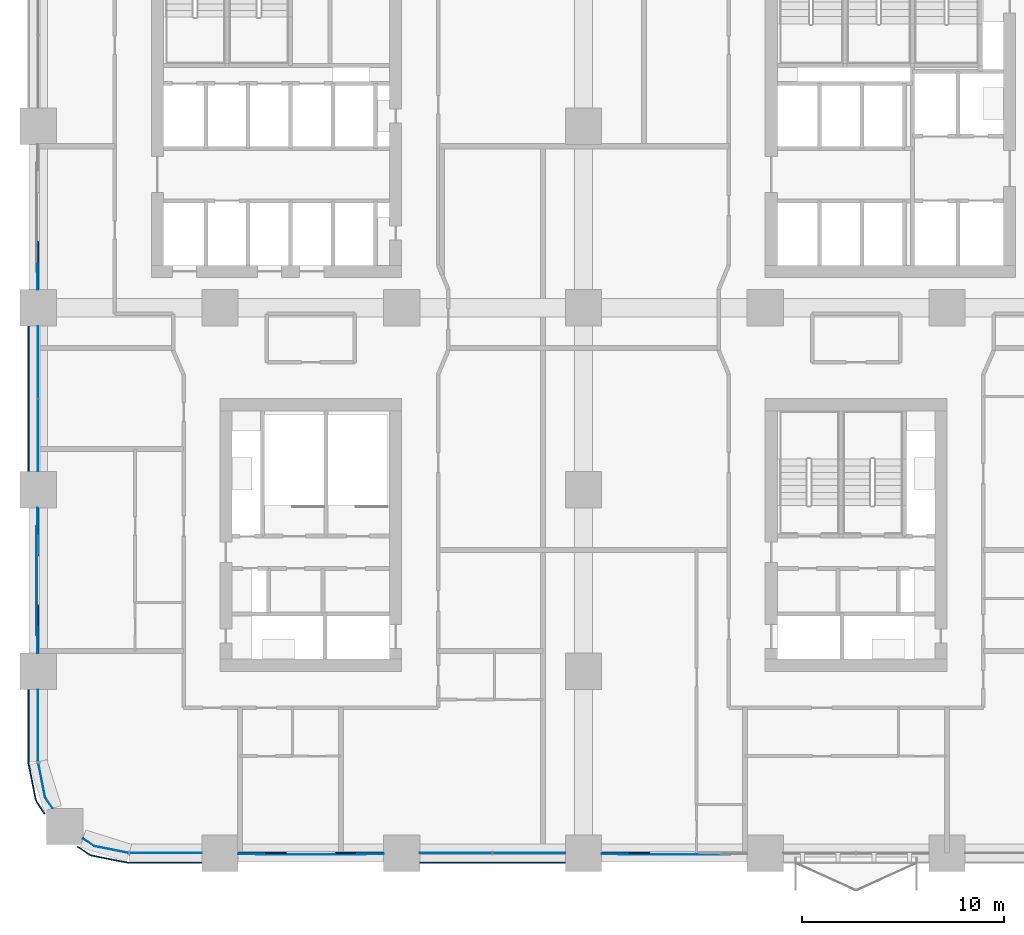
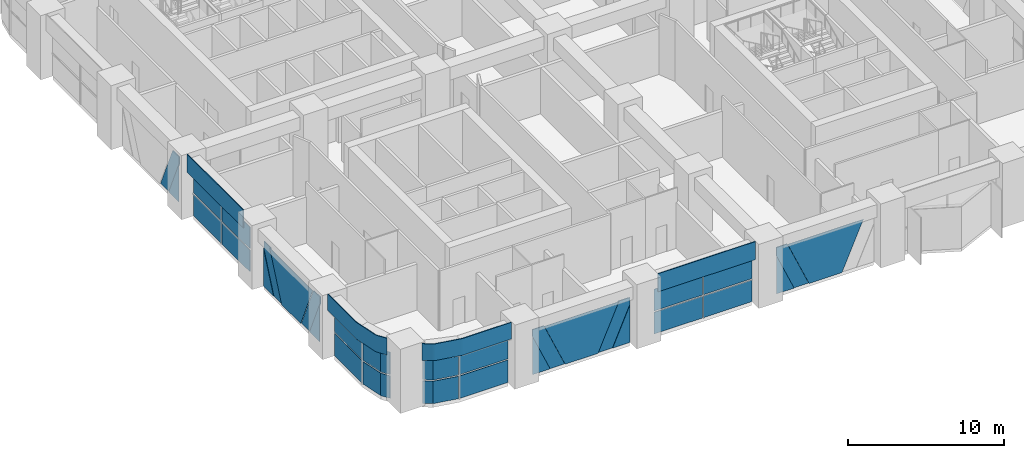
# One storey, part 11 of 26: 35 plates, 8 elements without a shape of their own.
"""IFC4 building model written with IfcOpenShell, lengths in metres."""

from ifc_helpers import new_model, si_unit, direction, frame, origin, origin_2d, place, context, subcontext, project, spatial, polyline, rectangle, outline, extrude, material, layer, layer_set, type_object, element, aggregate, save


model = new_model("IFC4")

# Units and contexts
model_context = context("Model", 3, precision=1e-05, world=origin(), true_north=direction((0.0, 1.0)))
body_context = subcontext(model_context, "Body", "Model", "MODEL_VIEW")
ifc_project = project(units=[si_unit("LENGTHUNIT", "METRE"), si_unit("AREAUNIT", "SQUARE_METRE"), si_unit("VOLUMEUNIT", "CUBIC_METRE"), si_unit("PLANEANGLEUNIT", "RADIAN"), si_unit("MASSUNIT", "GRAM", prefix="KILO")], contexts=[model_context])

# Site, building, storey
site_placement = place(None, origin())
site = spatial("IfcSite", under=ifc_project, at=site_placement, CompositionType="ELEMENT")
building_placement = place(site_placement, origin())
building = spatial("IfcBuilding", under=site, at=building_placement, Name="Tessera Arch", CompositionType="ELEMENT")
storey_placement = place(building_placement, frame((0.0, 0.0, 72.800048828125)))
storey = spatial("IfcBuildingStorey", under=building, at=storey_placement, Name="L16", CompositionType="ELEMENT", Elevation=72.800048828125)

# Curtain wall, plates
ifc_material_1 = material(Name="CW1 curtain wall")
curtain_wall_type_1 = type_object("IfcCurtainWallType", Name="CW1 curtain wall", PredefinedType="NOTDEFINED", material=ifc_material_1)
curtain_wall_1_placement = place(storey_placement, origin())
curtain_wall_1 = element("IfcCurtainWall", 1, at=curtain_wall_1_placement, inside=storey, type_object=curtain_wall_type_1, Name="CW1 curtain wall S0.0/1 L16", PredefinedType="NOTDEFINED")
ifc_material_2 = material(Name="Clear low-e glass", Category="glass")
ifc_material_3 = material(Name="Clear low-e glass", Category="glass")
ifc_layer_1 = layer(ifc_material_3, 0.028076171875)
ifc_layer_set_1 = layer_set([ifc_layer_1], Name="CW1 glass panel")
plate_type_1 = type_object("IfcPlateType", Name="CW1 glass panel", PredefinedType="CURTAIN_PANEL", material=ifc_layer_set_1)
plate_1_placement = place(storey_placement, frame((20.68505859375, 0.0, 0.0), z_axis=(0.0, 0.0, 1.0), x_axis=(1.0, 0.0, 0.0)))
plate_1 = element("IfcPlate", 2, at=plate_1_placement, type_object=plate_type_1, material=ifc_material_2, Name="CW1 glass panel S0.0/1 1.1.1", PredefinedType="CURTAIN_PANEL", context=body_context, shape_type="SweptSolid", body=[
    extrude(rectangle(XDim=3.570068359375, YDim=0.028076171875, at=origin_2d()), origin(), (0.0, 0.0, 1.0), 1.695068359375),
])
plate_2_placement = place(storey_placement, frame((20.68505859375, 0.0, 1.794921875), z_axis=(0.0, 0.0, 1.0), x_axis=(1.0, 0.0, 0.0)))
plate_2 = element("IfcPlate", 3, at=plate_2_placement, type_object=plate_type_1, material=ifc_material_2, Name="CW1 glass panel S0.0/1 1.1.2", PredefinedType="CURTAIN_PANEL", context=body_context, shape_type="SweptSolid", body=[
    extrude(rectangle(XDim=3.570068359375, YDim=0.028076171875, at=origin_2d()), origin(), (0.0, 0.0, 1.0), 1.695068359375),
])
plate_3_placement = place(storey_placement, frame((24.31494140625, 0.0, 0.0), z_axis=(0.0, 0.0, 1.0), x_axis=(1.0, 0.0, 0.0)))
plate_3 = element("IfcPlate", 4, at=plate_3_placement, type_object=plate_type_1, material=ifc_material_2, Name="CW1 glass panel S0.0/1 1.2.1", PredefinedType="CURTAIN_PANEL", context=body_context, shape_type="SweptSolid", body=[
    extrude(rectangle(XDim=3.570068359375, YDim=0.028076171875, at=origin_2d()), origin(), (0.0, 0.0, 1.0), 1.695068359375),
])
plate_4_placement = place(storey_placement, frame((24.31494140625, 0.0, 1.794921875), z_axis=(0.0, 0.0, 1.0), x_axis=(1.0, 0.0, 0.0)))
plate_4 = element("IfcPlate", 5, at=plate_4_placement, type_object=plate_type_1, material=ifc_material_2, Name="CW1 glass panel S0.0/1 1.2.2", PredefinedType="CURTAIN_PANEL", context=body_context, shape_type="SweptSolid", body=[
    extrude(rectangle(XDim=3.570068359375, YDim=0.028076171875, at=origin_2d()), origin(), (0.0, 0.0, 1.0), 1.695068359375),
])

curtain_wall_2_placement = place(storey_placement, origin())
curtain_wall_2 = element("IfcCurtainWall", 6, at=curtain_wall_2_placement, inside=storey, type_object=curtain_wall_type_1, Name="CW1 curtain wall W0.0/3 L16", PredefinedType="NOTDEFINED")
plate_5_placement = place(storey_placement, frame((0.0, 24.31494140625, 0.0), z_axis=(0.0, 0.0, 1.0), x_axis=(0.0, -1.0, 0.0)))
plate_5 = element("IfcPlate", 7, at=plate_5_placement, type_object=plate_type_1, material=ifc_material_2, Name="CW1 glass panel W0.0/3 1.1.1", PredefinedType="CURTAIN_PANEL", context=body_context, shape_type="SweptSolid", body=[
    extrude(rectangle(XDim=3.570068359375, YDim=0.028076171875, at=origin_2d()), origin(), (0.0, 0.0, 1.0), 1.695068359375),
])
plate_6_placement = place(storey_placement, frame((0.0, 24.31494140625, 1.794921875), z_axis=(0.0, 0.0, 1.0), x_axis=(0.0, -1.0, 0.0)))
plate_6 = element("IfcPlate", 8, at=plate_6_placement, type_object=plate_type_1, material=ifc_material_2, Name="CW1 glass panel W0.0/3 1.1.2", PredefinedType="CURTAIN_PANEL", context=body_context, shape_type="SweptSolid", body=[
    extrude(rectangle(XDim=3.570068359375, YDim=0.028076171875, at=origin_2d()), origin(), (0.0, 0.0, 1.0), 1.695068359375),
])
plate_7_placement = place(storey_placement, frame((0.0, 20.68505859375, 0.0), z_axis=(0.0, 0.0, 1.0), x_axis=(0.0, -1.0, 0.0)))
plate_7 = element("IfcPlate", 9, at=plate_7_placement, type_object=plate_type_1, material=ifc_material_2, Name="CW1 glass panel W0.0/3 1.2.1", PredefinedType="CURTAIN_PANEL", context=body_context, shape_type="SweptSolid", body=[
    extrude(rectangle(XDim=3.570068359375, YDim=0.028076171875, at=origin_2d()), origin(), (0.0, 0.0, 1.0), 1.695068359375),
])
plate_8_placement = place(storey_placement, frame((0.0, 20.68505859375, 1.794921875), z_axis=(0.0, 0.0, 1.0), x_axis=(0.0, -1.0, 0.0)))
plate_8 = element("IfcPlate", 10, at=plate_8_placement, type_object=plate_type_1, material=ifc_material_2, Name="CW1 glass panel W0.0/3 1.2.2", PredefinedType="CURTAIN_PANEL", context=body_context, shape_type="SweptSolid", body=[
    extrude(rectangle(XDim=3.570068359375, YDim=0.028076171875, at=origin_2d()), origin(), (0.0, 0.0, 1.0), 1.695068359375),
])

# Plate
ifc_material_4 = material(Name="Pale anodised aluminium panel", Category="aluminium")
ifc_layer_2 = layer(ifc_material_4, 0.06005859375)
ifc_layer_set_2 = layer_set([ifc_layer_2], Name="CW1 spandrel panel")
plate_type_2 = type_object("IfcPlateType", Name="CW1 spandrel panel", PredefinedType="CURTAIN_PANEL", material=ifc_layer_set_2)
plate_9_placement = place(storey_placement, frame((22.5, -0.47998046875, 3.58984375), z_axis=(0.0, 0.0, 1.0), x_axis=(1.0, 0.0, 0.0)))
plate_9 = element("IfcPlate", 11, at=plate_9_placement, type_object=plate_type_2, Name="CW1 spandrel panel S0.0/1", PredefinedType="CURTAIN_PANEL", context=body_context, shape_type="SweptSolid", body=[
    extrude(rectangle(XDim=7.199951171875, YDim=0.06005859375, at=origin_2d()), origin(), (0.0, 0.0, 1.0), 1.409912109375),
])

aggregate(curtain_wall_1, [plate_1, plate_2, plate_3, plate_4, plate_9])

plate_10_placement = place(storey_placement, frame((-0.47998046875, 22.5, 3.58984375), z_axis=(0.0, 0.0, 1.0), x_axis=(0.0, -1.0, 0.0)))
plate_10 = element("IfcPlate", 12, at=plate_10_placement, type_object=plate_type_2, Name="CW1 spandrel panel W0.0/3", PredefinedType="CURTAIN_PANEL", context=body_context, shape_type="SweptSolid", body=[
    extrude(rectangle(XDim=7.199951171875, YDim=0.06005859375, at=origin_2d()), origin(), (0.0, 0.0, 1.0), 1.409912109375),
])

aggregate(curtain_wall_2, [plate_5, plate_6, plate_7, plate_8, plate_10])

# Curtain wall, plates
ifc_material_5 = material(Name="CW2 curtain wall")
curtain_wall_type_2 = type_object("IfcCurtainWallType", Name="CW2 curtain wall", PredefinedType="NOTDEFINED", material=ifc_material_5)
curtain_wall_3_placement = place(storey_placement, origin())
curtain_wall_3 = element("IfcCurtainWall", 13, at=curtain_wall_3_placement, inside=storey, type_object=curtain_wall_type_2, Name="CW2 curtain wall W0.0/5 L16", PredefinedType="NOTDEFINED")
ifc_material_6 = material(Name="Clear low-e glass", Category="glass")
ifc_layer_3 = layer(ifc_material_6, 0.028076171875)
ifc_layer_set_3 = layer_set([ifc_layer_3], Name="CW2 glass panel")
plate_type_3 = type_object("IfcPlateType", Name="CW2 glass panel", PredefinedType="CURTAIN_PANEL", material=ifc_layer_set_3)
plate_11_placement = place(storey_placement, frame((0.0, 6.320068359375, 0.0), z_axis=(0.0, 0.0, 1.0), x_axis=(0.0, -1.0, 0.0)))
plate_11 = element("IfcPlate", 14, at=plate_11_placement, type_object=plate_type_3, material=ifc_material_2, Name="CW2 glass panel W0.0/5 1.1", PredefinedType="CURTAIN_PANEL", context=body_context, shape_type="SweptSolid", body=[
    extrude(rectangle(XDim=3.56005859375, YDim=0.028076171875, at=origin_2d()), origin(), (0.0, 0.0, 1.0), 1.75),
])
plate_12_placement = place(storey_placement, origin())
plate_12 = element("IfcPlate", 15, at=plate_12_placement, type_object=plate_type_3, material=ifc_material_2, Name="CW2 curved glass panel W0.0/5 2.1", PredefinedType="CURTAIN_PANEL", context=body_context, shape_type="SweptSolid", body=[
    extrude(outline(polyline([(0.355712890625, 2.783447265625), (0.021484375, 4.46337890625), (-0.005859375, 4.4580078125), (0.329345703125, 2.7724609375), (0.705078125, 2.210205078125), (0.728271484375, 2.225830078125), (0.355712890625, 2.783447265625)])), origin(), (0.0, 0.0, 1.0), 1.75),
])
plate_13_placement = place(storey_placement, frame((0.0, 6.320068359375, 1.849853515625), z_axis=(0.0, 0.0, 1.0), x_axis=(0.0, -1.0, 0.0)))
plate_13 = element("IfcPlate", 16, at=plate_13_placement, type_object=plate_type_3, material=ifc_material_2, Name="CW2 glass panel W0.0/5 1.2", PredefinedType="CURTAIN_PANEL", context=body_context, shape_type="SweptSolid", body=[
    extrude(rectangle(XDim=3.56005859375, YDim=0.028076171875, at=origin_2d()), origin(), (0.0, 0.0, 1.0), 1.75),
])
plate_14_placement = place(storey_placement, frame((0.0, 0.0, 1.849853515625)))
plate_14 = element("IfcPlate", 17, at=plate_14_placement, type_object=plate_type_3, material=ifc_material_2, Name="CW2 curved glass panel W0.0/5 2.2", PredefinedType="CURTAIN_PANEL", context=body_context, shape_type="SweptSolid", body=[
    extrude(outline(polyline([(0.355712890625, 2.783447265625), (0.021484375, 4.46337890625), (-0.005859375, 4.4580078125), (0.329345703125, 2.7724609375), (0.705078125, 2.210205078125), (0.728271484375, 2.225830078125), (0.355712890625, 2.783447265625)])), origin(), (0.0, 0.0, 1.0), 1.75),
])

curtain_wall_4_placement = place(storey_placement, origin())
curtain_wall_4 = element("IfcCurtainWall", 18, at=curtain_wall_4_placement, inside=storey, type_object=curtain_wall_type_2, Name="CW2 curtain wall S0.0/5 L16", PredefinedType="NOTDEFINED")
plate_15_placement = place(storey_placement, frame((6.320068359375, 0.0, 0.0), z_axis=(0.0, 0.0, 1.0), x_axis=(1.0, 0.0, 0.0)))
plate_15 = element("IfcPlate", 19, at=plate_15_placement, type_object=plate_type_3, material=ifc_material_2, Name="CW2 glass panel S0.0/5 1.1", PredefinedType="CURTAIN_PANEL", context=body_context, shape_type="SweptSolid", body=[
    extrude(rectangle(XDim=3.56005859375, YDim=0.028076171875, at=origin_2d()), origin(), (0.0, 0.0, 1.0), 1.75),
])
plate_16_placement = place(storey_placement, origin())
plate_16 = element("IfcPlate", 20, at=plate_16_placement, type_object=plate_type_3, material=ifc_material_2, Name="CW2 curved glass panel S0.0/5 2.1", PredefinedType="CURTAIN_PANEL", context=body_context, shape_type="SweptSolid", body=[
    extrude(outline(polyline([(2.783447265625, 0.355712890625), (2.225830078125, 0.728271484375), (2.210205078125, 0.705078125), (2.7724609375, 0.329345703125), (4.4580078125, -0.005859375), (4.46337890625, 0.021484375), (2.783447265625, 0.355712890625)])), origin(), (0.0, 0.0, 1.0), 1.75),
])
plate_17_placement = place(storey_placement, frame((6.320068359375, 0.0, 1.849853515625), z_axis=(0.0, 0.0, 1.0), x_axis=(1.0, 0.0, 0.0)))
plate_17 = element("IfcPlate", 21, at=plate_17_placement, type_object=plate_type_3, material=ifc_material_2, Name="CW2 glass panel S0.0/5 1.2", PredefinedType="CURTAIN_PANEL", context=body_context, shape_type="SweptSolid", body=[
    extrude(rectangle(XDim=3.56005859375, YDim=0.028076171875, at=origin_2d()), origin(), (0.0, 0.0, 1.0), 1.75),
])
plate_18_placement = place(storey_placement, frame((0.0, 0.0, 1.849853515625)))
plate_18 = element("IfcPlate", 22, at=plate_18_placement, type_object=plate_type_3, material=ifc_material_2, Name="CW2 curved glass panel S0.0/5 2.2", PredefinedType="CURTAIN_PANEL", context=body_context, shape_type="SweptSolid", body=[
    extrude(outline(polyline([(2.783447265625, 0.355712890625), (2.225830078125, 0.728271484375), (2.210205078125, 0.705078125), (2.7724609375, 0.329345703125), (4.4580078125, -0.005859375), (4.46337890625, 0.021484375), (2.783447265625, 0.355712890625)])), origin(), (0.0, 0.0, 1.0), 1.75),
])

# Plate
ifc_material_7 = material(Name="Pale anodised aluminium panel", Category="aluminium")
ifc_layer_4 = layer(ifc_material_7, 0.06005859375)
ifc_layer_set_4 = layer_set([ifc_layer_4], Name="CW2 spandrel panel")
plate_type_4 = type_object("IfcPlateType", Name="CW2 spandrel panel", PredefinedType="CURTAIN_PANEL", material=ifc_layer_set_4)
plate_19_placement = place(storey_placement, frame((0.0, 0.0, 3.699951171875)))
plate_19 = element("IfcPlate", 23, at=plate_19_placement, type_object=plate_type_4, Name="CW2 spandrel panel W0.0/5", PredefinedType="CURTAIN_PANEL", context=body_context, shape_type="SweptSolid", body=[
    extrude(outline(polyline([(-0.449951171875, 4.500732421875), (-0.449951171875, 8.10009765625), (-0.510009765625, 8.10009765625), (-0.510009765625, 4.499267578125), (-0.507568359375, 4.449951171875), (-0.500244140625, 4.401123046875), (-0.157470703125, 2.677734375), (-0.1455078125, 2.6298828125), (-0.128662109375, 2.582763671875), (-0.107177734375, 2.537353515625), (-0.08203125, 2.4951171875), (0.292724609375, 1.9345703125), (0.342529296875, 1.968017578125), (-0.03125, 2.52734375), (-0.05419921875, 2.565673828125), (-0.0732421875, 2.605712890625), (-0.088134765625, 2.647216796875), (-0.09912109375, 2.69091796875), (-0.441162109375, 4.411376953125), (-0.44775390625, 4.455810546875), (-0.449951171875, 4.500732421875)])), origin(), (0.0, 0.0, 1.0), 1.300048828125),
])

aggregate(curtain_wall_3, [plate_11, plate_12, plate_13, plate_14, plate_19])

plate_20_placement = place(storey_placement, frame((0.0, 0.0, 3.699951171875)))
plate_20 = element("IfcPlate", 24, at=plate_20_placement, type_object=plate_type_4, Name="CW2 spandrel panel S0.0/5", PredefinedType="CURTAIN_PANEL", context=body_context, shape_type="SweptSolid", body=[
    extrude(outline(polyline([(2.52734375, -0.03125), (1.968017578125, 0.342529296875), (1.9345703125, 0.292724609375), (2.4951171875, -0.08203125), (2.537353515625, -0.107177734375), (2.582763671875, -0.128662109375), (2.6298828125, -0.1455078125), (2.677734375, -0.157470703125), (4.401123046875, -0.500244140625), (4.449951171875, -0.507568359375), (4.499267578125, -0.510009765625), (8.10009765625, -0.510009765625), (8.10009765625, -0.449951171875), (4.500732421875, -0.449951171875), (4.455810546875, -0.44775390625), (4.411376953125, -0.441162109375), (2.69091796875, -0.09912109375), (2.647216796875, -0.088134765625), (2.605712890625, -0.0732421875), (2.565673828125, -0.05419921875), (2.52734375, -0.03125)])), origin(), (0.0, 0.0, 1.0), 1.300048828125),
])

aggregate(curtain_wall_4, [plate_15, plate_16, plate_17, plate_18, plate_20])

# Curtain wall, plates
ifc_material_8 = material(Name="CW3 curtain wall")
curtain_wall_type_3 = type_object("IfcCurtainWallType", Name="CW3 curtain wall", PredefinedType="NOTDEFINED", material=ifc_material_8)
curtain_wall_5_placement = place(storey_placement, origin())
curtain_wall_5 = element("IfcCurtainWall", 25, at=curtain_wall_5_placement, inside=storey, type_object=curtain_wall_type_3, Name="CW3 curtain wall S0.0/0 L16", PredefinedType="NOTDEFINED")
ifc_material_9 = material(Name="Pale anodised aluminium panel", Category="aluminium")
ifc_layer_5 = layer(ifc_material_9, 0.06005859375)
ifc_layer_set_5 = layer_set([ifc_layer_5], Name="CW3 diagonal panel")
plate_type_5 = type_object("IfcPlateType", Name="CW3 diagonal panel", PredefinedType="CURTAIN_PANEL", material=ifc_layer_set_5)
plate_21_placement = place(storey_placement, frame((17.10009765625, -0.030029296875, 3.489990234375), z_axis=(0.0, -1.0, 0.0), x_axis=(-1.0, 0.0, 0.0)))
plate_21 = element("IfcPlate", 26, at=plate_21_placement, type_object=plate_type_5, Name="CW3 diagonal panel S0.0/0 1", PredefinedType="CURTAIN_PANEL", context=body_context, shape_type="SweptSolid", body=[
    extrude(outline(polyline([(0.0, 0.0), (0.8544921875, 0.0), (2.38671875, 3.489990234375), (1.30126953125, 3.489990234375), (0.0, 0.5263671875), (0.0, 0.0)])), origin(), (0.0, 0.0, -1.0), 0.06005859375),
])
plate_22_placement = place(storey_placement, frame((9.89990234375, -0.030029296875, 3.489990234375), z_axis=(0.0, -1.0, 0.0), x_axis=(0.0, 0.0, -1.0)))
plate_22 = element("IfcPlate", 27, at=plate_22_placement, type_object=plate_type_5, Name="CW3 diagonal panel S0.0/0 2", PredefinedType="CURTAIN_PANEL", context=body_context, shape_type="SweptSolid", body=[
    extrude(outline(polyline([(0.0, 0.0), (0.5263671875, 0.0), (3.489990234375, 1.30126953125), (3.489990234375, 2.38671875), (0.0, 0.8544921875), (0.0, 0.0)])), origin(), (0.0, 0.0, -1.0), 0.06005859375),
])

# Curtain wall, plate
curtain_wall_6_placement = place(storey_placement, origin())
curtain_wall_6 = element("IfcCurtainWall", 28, at=curtain_wall_6_placement, inside=storey, type_object=curtain_wall_type_3, Name="CW3 curtain wall S0.0/2 L16", PredefinedType="NOTDEFINED")
plate_23_placement = place(storey_placement, frame((27.89990234375, -0.030029296875, 3.599853515625), z_axis=(0.0, -1.0, 0.0), x_axis=(0.0, 0.0, -1.0)))
plate_23 = element("IfcPlate", 29, at=plate_23_placement, type_object=plate_type_5, Name="CW3 diagonal panel S0.0/2 2", PredefinedType="CURTAIN_PANEL", context=body_context, shape_type="SweptSolid", body=[
    extrude(outline(polyline([(0.0, 0.0), (0.63623046875, 0.0), (3.599853515625, 1.30126953125), (3.599853515625, 2.38671875), (0.0, 0.806396484375), (0.0, 0.0)])), origin(), (0.0, 0.0, -1.0), 0.06005859375),
])

curtain_wall_7_placement = place(storey_placement, origin())
curtain_wall_7 = element("IfcCurtainWall", 30, at=curtain_wall_7_placement, inside=storey, type_object=curtain_wall_type_3, Name="CW3 curtain wall W0.0/2 L16", PredefinedType="NOTDEFINED")
plate_24_placement = place(storey_placement, frame((-0.030029296875, 27.89990234375, 3.489990234375), z_axis=(-1.0, 0.0, 0.0), x_axis=(0.0, 1.0, 0.0)))
plate_24 = element("IfcPlate", 31, at=plate_24_placement, type_object=plate_type_5, Name="CW3 diagonal panel W0.0/2 1", PredefinedType="CURTAIN_PANEL", context=body_context, shape_type="SweptSolid", body=[
    extrude(outline(polyline([(0.0, 0.0), (0.8544921875, 0.0), (2.38671875, 3.489990234375), (1.30126953125, 3.489990234375), (0.0, 0.5263671875), (0.0, 0.0)])), origin(), (0.0, 0.0, -1.0), 0.06005859375),
])

# Curtain wall, plates
curtain_wall_8_placement = place(storey_placement, origin())
curtain_wall_8 = element("IfcCurtainWall", 32, at=curtain_wall_8_placement, inside=storey, type_object=curtain_wall_type_3, Name="CW3 curtain wall W0.0/4 L16", PredefinedType="NOTDEFINED")
plate_25_placement = place(storey_placement, frame((-0.030029296875, 9.89990234375, 3.489990234375), z_axis=(-1.0, 0.0, 0.0), x_axis=(0.0, 1.0, 0.0)))
plate_25 = element("IfcPlate", 33, at=plate_25_placement, type_object=plate_type_5, Name="CW3 diagonal panel W0.0/4 1", PredefinedType="CURTAIN_PANEL", context=body_context, shape_type="SweptSolid", body=[
    extrude(outline(polyline([(0.0, 0.0), (0.8544921875, 0.0), (2.38671875, 3.489990234375), (1.30126953125, 3.489990234375), (0.0, 0.5263671875), (0.0, 0.0)])), origin(), (0.0, 0.0, -1.0), 0.06005859375),
])
plate_26_placement = place(storey_placement, frame((-0.030029296875, 17.10009765625, 3.489990234375), z_axis=(-1.0, 0.0, 0.0), x_axis=(0.0, 0.0, -1.0)))
plate_26 = element("IfcPlate", 34, at=plate_26_placement, type_object=plate_type_5, Name="CW3 diagonal panel W0.0/4 2", PredefinedType="CURTAIN_PANEL", context=body_context, shape_type="SweptSolid", body=[
    extrude(outline(polyline([(0.0, 0.0), (0.5263671875, 0.0), (3.489990234375, 1.30126953125), (3.489990234375, 2.38671875), (0.0, 0.8544921875), (0.0, 0.0)])), origin(), (0.0, 0.0, -1.0), 0.06005859375),
])

# Plate
ifc_material_10 = material(Name="Clear low-e glass", Category="glass")
ifc_layer_6 = layer(ifc_material_10, 0.028076171875)
ifc_layer_set_6 = layer_set([ifc_layer_6], Name="CW3 glass panel")
plate_type_6 = type_object("IfcPlateType", Name="CW3 glass panel", PredefinedType="CURTAIN_PANEL", material=ifc_layer_set_6)
plate_27_placement = place(storey_placement, frame((9.89990234375, -0.05810546875, 0.0), z_axis=(0.0, -1.0, 0.0), x_axis=(1.0, 0.0, 0.0)))
plate_27 = element("IfcPlate", 35, at=plate_27_placement, type_object=plate_type_6, material=ifc_material_2, Name="CW3 triangulated glass panel S0.0/0 1", PredefinedType="CURTAIN_PANEL", context=body_context, shape_type="SweptSolid", body=[
    extrude(outline(polyline([(0.0, 0.0), (1.30126953125, 0.0), (0.0, 2.963623046875), (0.0, 0.0)])), origin(), (0.0, 0.0, -1.0), 0.028076171875),
])

plate_28_placement = place(storey_placement, frame((16.24560546875, -0.0859375, 3.489990234375), z_axis=(0.0, -1.0, 0.0), x_axis=(-1.0, 0.0, 0.0)))
plate_28 = element("IfcPlate", 36, at=plate_28_placement, type_object=plate_type_6, material=ifc_material_2, Name="CW3 triangulated glass panel S0.0/0 2", PredefinedType="CURTAIN_PANEL", context=body_context, shape_type="SweptSolid", body=[
    extrude(outline(polyline([(0.0, 0.0), (5.4912109375, 0.0), (3.958984375, 3.489990234375), (1.5322265625, 3.489990234375), (0.0, 0.0)])), origin(), (0.0, 0.0, -1.0), 0.028076171875),
])

plate_29_placement = place(storey_placement, frame((17.10009765625, -0.05810546875, 0.0), z_axis=(0.0, -1.0, 0.0), x_axis=(0.0, 0.0, 1.0)))
plate_29 = element("IfcPlate", 37, at=plate_29_placement, type_object=plate_type_6, material=ifc_material_2, Name="CW3 triangulated glass panel S0.0/0 3", PredefinedType="CURTAIN_PANEL", context=body_context, shape_type="SweptSolid", body=[
    extrude(outline(polyline([(0.0, 0.0), (2.963623046875, 0.0), (0.0, 1.30126953125), (0.0, 0.0)])), origin(), (0.0, 0.0, -1.0), 0.028076171875),
])

aggregate(curtain_wall_5, [plate_27, plate_28, plate_29, plate_21, plate_22])

plate_30_placement = place(storey_placement, frame((27.89990234375, -0.05810546875, 0.0), z_axis=(0.0, -1.0, 0.0), x_axis=(1.0, 0.0, 0.0)))
plate_30 = element("IfcPlate", 38, at=plate_30_placement, type_object=plate_type_6, material=ifc_material_2, Name="CW3 triangulated glass panel S0.0/2 1", PredefinedType="CURTAIN_PANEL", context=body_context, shape_type="SweptSolid", body=[
    extrude(outline(polyline([(0.0, 0.0), (1.30126953125, 0.0), (0.0, 2.963623046875), (0.0, 0.0)])), origin(), (0.0, 0.0, -1.0), 0.028076171875),
])

plate_31_placement = place(storey_placement, frame((34.293701171875, -0.0859375, 3.599853515625), z_axis=(0.0, -1.0, 0.0), x_axis=(-1.0, 0.0, 0.0)))
plate_31 = element("IfcPlate", 39, at=plate_31_placement, type_object=plate_type_6, material=ifc_material_2, Name="CW3 triangulated glass panel S0.0/2 2", PredefinedType="CURTAIN_PANEL", context=body_context, shape_type="SweptSolid", body=[
    extrude(outline(polyline([(0.0, 0.0), (5.58740234375, 0.0), (4.007080078125, 3.599853515625), (1.580322265625, 3.599853515625), (0.0, 0.0)])), origin(), (0.0, 0.0, -1.0), 0.028076171875),
])

aggregate(curtain_wall_6, [plate_30, plate_31, plate_23])

plate_32_placement = place(storey_placement, frame((-0.05810546875, 27.89990234375, 0.0), z_axis=(-1.0, 0.0, 0.0), x_axis=(0.0, 0.0, 1.0)))
plate_32 = element("IfcPlate", 40, at=plate_32_placement, type_object=plate_type_6, material=ifc_material_2, Name="CW3 triangulated glass panel W0.0/2 3", PredefinedType="CURTAIN_PANEL", context=body_context, shape_type="SweptSolid", body=[
    extrude(outline(polyline([(0.0, 0.0), (2.963623046875, 0.0), (0.0, 1.30126953125), (0.0, 0.0)])), origin(), (0.0, 0.0, -1.0), 0.028076171875),
])

aggregate(curtain_wall_7, [plate_32, plate_24])

plate_33_placement = place(storey_placement, frame((-0.05810546875, 17.10009765625, 0.0), z_axis=(-1.0, 0.0, 0.0), x_axis=(0.0, -1.0, 0.0)))
plate_33 = element("IfcPlate", 41, at=plate_33_placement, type_object=plate_type_6, material=ifc_material_2, Name="CW3 triangulated glass panel W0.0/4 1", PredefinedType="CURTAIN_PANEL", context=body_context, shape_type="SweptSolid", body=[
    extrude(outline(polyline([(0.0, 0.0), (1.30126953125, 0.0), (0.0, 2.963623046875), (0.0, 0.0)])), origin(), (0.0, 0.0, -1.0), 0.028076171875),
])

plate_34_placement = place(storey_placement, frame((-0.0859375, 10.75439453125, 3.489990234375), z_axis=(-1.0, 0.0, 0.0), x_axis=(0.0, 1.0, 0.0)))
plate_34 = element("IfcPlate", 42, at=plate_34_placement, type_object=plate_type_6, material=ifc_material_2, Name="CW3 triangulated glass panel W0.0/4 2", PredefinedType="CURTAIN_PANEL", context=body_context, shape_type="SweptSolid", body=[
    extrude(outline(polyline([(0.0, 0.0), (5.4912109375, 0.0), (3.958984375, 3.489990234375), (1.5322265625, 3.489990234375), (0.0, 0.0)])), origin(), (0.0, 0.0, -1.0), 0.028076171875),
])

plate_35_placement = place(storey_placement, frame((-0.05810546875, 9.89990234375, 0.0), z_axis=(-1.0, 0.0, 0.0), x_axis=(0.0, 0.0, 1.0)))
plate_35 = element("IfcPlate", 43, at=plate_35_placement, type_object=plate_type_6, material=ifc_material_2, Name="CW3 triangulated glass panel W0.0/4 3", PredefinedType="CURTAIN_PANEL", context=body_context, shape_type="SweptSolid", body=[
    extrude(outline(polyline([(0.0, 0.0), (2.963623046875, 0.0), (0.0, 1.30126953125), (0.0, 0.0)])), origin(), (0.0, 0.0, -1.0), 0.028076171875),
])

aggregate(curtain_wall_8, [plate_33, plate_34, plate_35, plate_25, plate_26])

save(model, "model.ifc")
